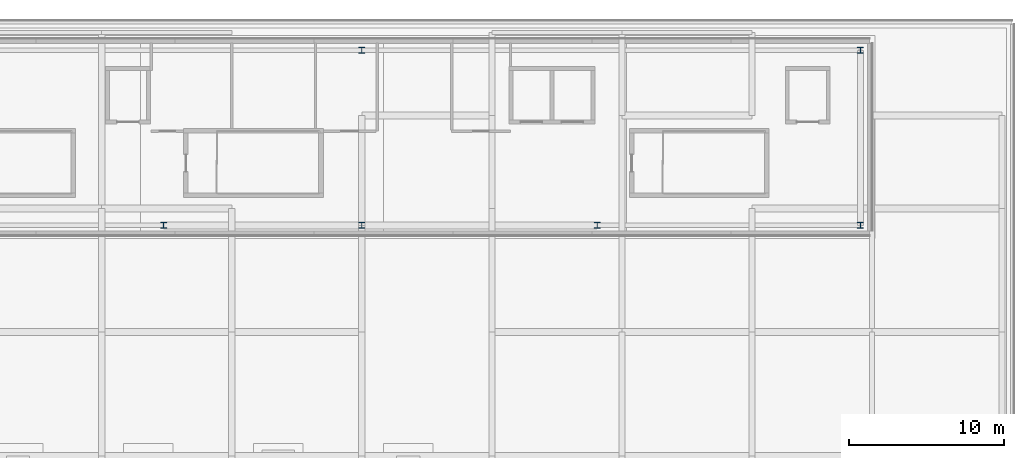
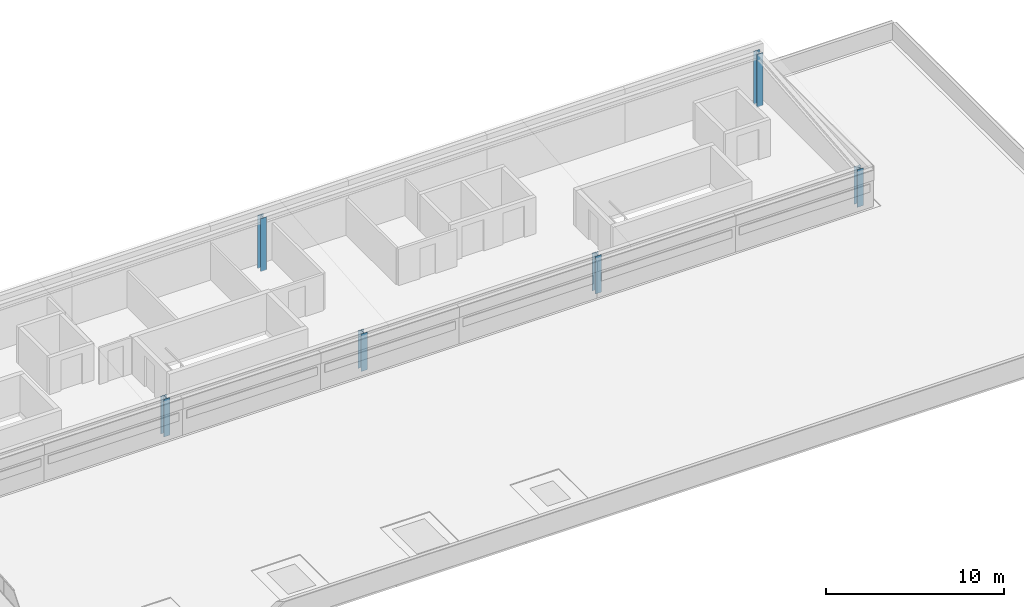
# One storey, part 2 of 14: 6 columns.
"""IFC4 building model written with IfcOpenShell, lengths in metres."""

from ifc_helpers import new_model, si_unit, direction, frame, origin, origin_2d, place, context, subcontext, project, spatial, i_section, extrude, material, material_profile, profile_set, type_object, element, save


model = new_model("IFC4")

# Units and contexts
model_context = context("Model", 3, precision=1e-05, world=origin(), true_north=direction((0.0, 1.0)))
body_context = subcontext(model_context, "Body", "Model", "MODEL_VIEW")
ifc_project = project(units=[si_unit("LENGTHUNIT", "METRE"), si_unit("AREAUNIT", "SQUARE_METRE"), si_unit("VOLUMEUNIT", "CUBIC_METRE"), si_unit("PLANEANGLEUNIT", "RADIAN"), si_unit("MASSUNIT", "GRAM", prefix="KILO")], contexts=[model_context])

# Site, building, storey
site_placement = place(None, origin())
site = spatial("IfcSite", under=ifc_project, at=site_placement, CompositionType="ELEMENT")
building_placement = place(site_placement, origin())
building = spatial("IfcBuilding", under=site, at=building_placement, Name="Selatvlak General Hospital", CompositionType="ELEMENT")
storey_placement = place(building_placement, frame((0.0, 0.0, 39.449951171875)))
storey = spatial("IfcBuildingStorey", under=building, at=storey_placement, Name="RF", CompositionType="ELEMENT", Elevation=39.449951171875)

# Columns
ifc_material = material(Name="Steel S355", Category="steel")
ifc_material_profile = material_profile(ifc_material, i_section(OverallWidth=0.394775390625, OverallDepth=0.381103515625, WebThickness=0.018310546875, FlangeThickness=0.0302734375, at=origin_2d()), Name="UC 356x406x235")
ifc_profile_set = profile_set([ifc_material_profile], Name="Steel S355")
column_type = type_object("IfcColumnType", Name="COL-UC356", PredefinedType="COLUMN", material=ifc_profile_set)
for number, where, z_axis, x_axis, name in (
    (1, (102.39990234375, 106.89990234375, 0.0), (0.0, 0.0, 1.0), (1.0, 0.0, 0.0), "Column 053 on RF"),
    (2, (115.199951171875, 106.89990234375, 0.0), (0.0, 0.0, 1.0), (1.0, 0.0, 0.0), "Column 054 on RF"),
    (3, (130.39990234375, 106.89990234375, 0.0), (0.0, 0.0, 1.0), (1.0, 0.0, 0.0), "Column 055 on RF"),
    (4, (147.39990234375, 106.89990234375, 0.0), (0.0, 0.0, 1.0), (1.0, 0.0, 0.0), "Column 056 on RF"),
):
    element("IfcColumn", number, at=place(storey_placement, frame(where, z_axis=z_axis, x_axis=x_axis)), inside=storey, type_object=column_type, Name=name, PredefinedType="COLUMN", context=body_context, shape_type="SweptSolid", body=[
        extrude(i_section(OverallWidth=0.394775390625, OverallDepth=0.381103515625, WebThickness=0.018310546875, FlangeThickness=0.0302734375, at=origin_2d()), origin(), (0.0, 0.0, 1.0), 2.570068359375),
    ])
for number, where, z_axis, x_axis, name in (
    (5, (115.199951171875, 118.199951171875, 0.0), (0.0, 0.0, 1.0), (1.0, 0.0, 0.0), "Column 058 on RF"),
    (6, (147.39990234375, 118.199951171875, 0.0), (0.0, 0.0, 1.0), (1.0, 0.0, 0.0), "Column 059 on RF"),
):
    element("IfcColumn", number, at=place(storey_placement, frame(where, z_axis=z_axis, x_axis=x_axis)), inside=storey, type_object=column_type, Name=name, PredefinedType="COLUMN", context=body_context, shape_type="SweptSolid", body=[
        extrude(i_section(OverallWidth=0.394775390625, OverallDepth=0.381103515625, WebThickness=0.018310546875, FlangeThickness=0.0302734375, at=origin_2d()), origin(), (0.0, 0.0, 1.0), 3.630126953125),
    ])

save(model, "model.ifc")
